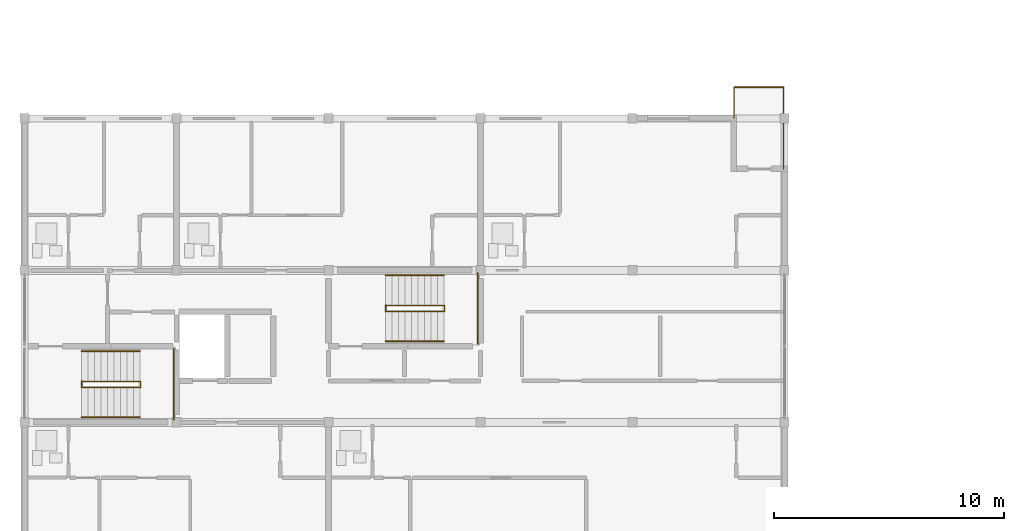
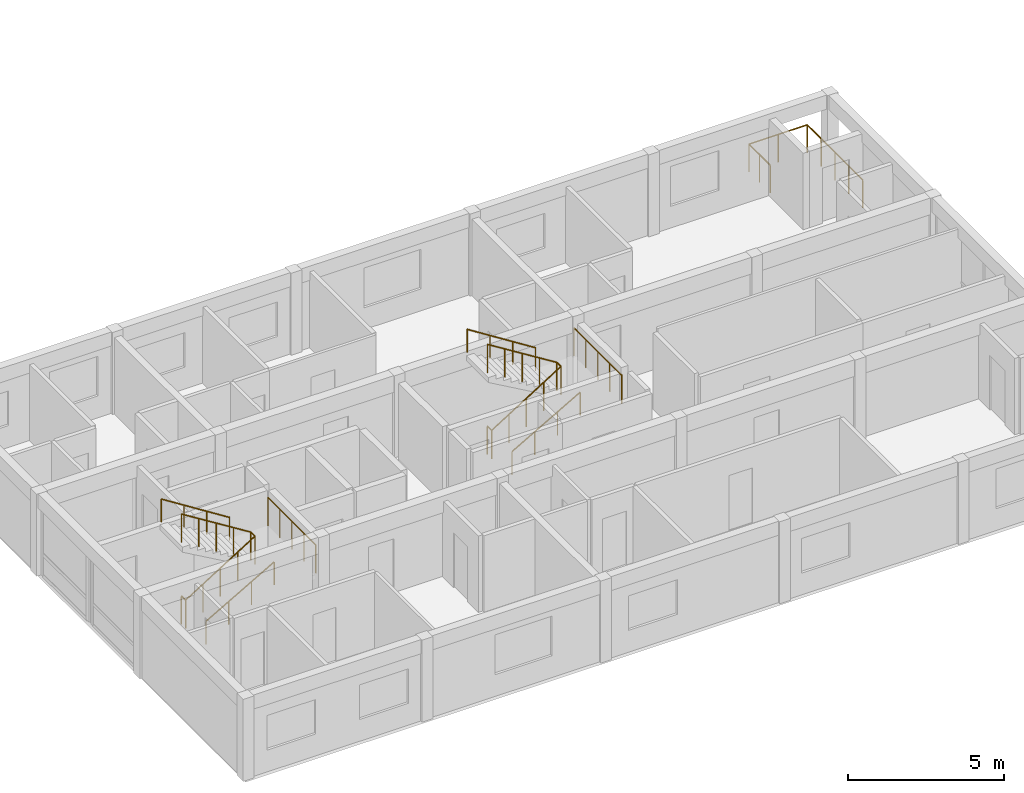
# One storey, part 21 of 23: 11 railings.
"""IFC4 building model written with IfcOpenShell, lengths in metres."""

import ifcopenshell
import ifcopenshell.guid

model = None  # the IFC model being written
_history = None  # IfcOwnerHistory: only IFC2X3 demands one
_inside = {}  # id of a spatial element -> (the spatial element, [elements in it])
_under = {}  # id of a project, library or spatial element -> (it, [spatial elements below it])
_declared = {}  # id of a project -> (the project, [libraries it declares])
_typed = {}  # id of a type object -> (the type object, [elements of that type])
_made_of = {}  # id of a material, layer set ... -> (it, [elements and type objects made of it])


def new_model(schema):
    """Start an empty IFC model of exactly this schema.

    Asked for "IFC4X3", IfcOpenShell would pick the latest addendum, in which some entities
    have other attributes; the version numbers below select the first issue.
    IFC2X3 requires an IfcOwnerHistory on every rooted entity: one is made here for all.
    """
    global model, _history
    if schema == "IFC4X3":
        model = ifcopenshell.file(schema_version=(4, 3, 0, 0))
    else:
        model = ifcopenshell.file(schema=schema)
    _inside.clear()
    _under.clear()
    _declared.clear()
    _typed.clear()
    _made_of.clear()
    _history = None
    if model.schema == "IFC2X3":
        org = make("IfcOrganization", Name="unknown")
        user = make(
            "IfcPersonAndOrganization",
            ThePerson=make("IfcPerson", FamilyName="unknown"),
            TheOrganization=org,
        )
        app = make(
            "IfcApplication",
            ApplicationDeveloper=org,
            Version="unknown",
            ApplicationFullName="unknown",
            ApplicationIdentifier="unknown",
        )
        _history = make(
            "IfcOwnerHistory",
            OwningUser=user,
            OwningApplication=app,
            ChangeAction="ADDED",
            CreationDate=0,
        )
    return model


def make(cls, **values):
    """One entity of the class cls with the attributes given. An attribute that is None is left unset."""
    return model.create_entity(
        cls, **{name: value for name, value in values.items() if value is not None}
    )


def rooted(cls, **values):
    """An entity with a GlobalId (a new one), such as an element, a storey or a relation."""
    return make(cls, GlobalId=ifcopenshell.guid.new(), OwnerHistory=_history, **values)


def si_unit(unit_type, name, prefix=None):
    """IfcSIUnit, for example si_unit("LENGTHUNIT", "METRE", prefix="MILLI")."""
    return make("IfcSIUnit", UnitType=unit_type, Prefix=prefix, Name=name)


def assignment(units):
    """IfcUnitAssignment: the units of a project."""
    return None if units is None else make("IfcUnitAssignment", Units=units)


def point(xyz):
    """IfcCartesianPoint."""
    return None if xyz is None else make("IfcCartesianPoint", Coordinates=xyz)


def direction(xyz):
    """IfcDirection."""
    return None if xyz is None else make("IfcDirection", DirectionRatios=xyz)


def frame(location, z_axis=None, x_axis=None):
    """IfcAxis2Placement3D, a coordinate frame: its origin and axes. An axis left out is left unset."""
    return make(
        "IfcAxis2Placement3D",
        Location=point(location),
        Axis=direction(z_axis),
        RefDirection=direction(x_axis),
    )


def frame_2d(location, x_axis=None):
    """IfcAxis2Placement2D, a coordinate frame in the plane: its origin and x axis."""
    return make(
        "IfcAxis2Placement2D", Location=point(location), RefDirection=direction(x_axis)
    )


def origin():
    """The frame at (0, 0, 0) with its axes left unset."""
    return frame((0.0, 0.0, 0.0))


def origin_2d():
    """The frame at (0, 0) in the plane with its x axis left unset."""
    return frame_2d((0.0, 0.0))


def place(relative_to, where):
    """IfcLocalPlacement: puts the frame where relative to a parent placement (None: the world)."""
    return make(
        "IfcLocalPlacement", PlacementRelTo=relative_to, RelativePlacement=where
    )


def context(
    kind, dimensions, precision=None, world=None, true_north=None, identifier=None
):
    """IfcGeometricRepresentationContext, for example the 3D "Model" context."""
    return make(
        "IfcGeometricRepresentationContext",
        ContextIdentifier=identifier,
        ContextType=kind,
        CoordinateSpaceDimension=dimensions,
        Precision=precision,
        WorldCoordinateSystem=world,
        TrueNorth=true_north,
    )


def subcontext(parent, identifier, kind, view, scale=None):
    """IfcGeometricRepresentationSubContext, for example "Body" below "Model"."""
    return make(
        "IfcGeometricRepresentationSubContext",
        ContextIdentifier=identifier,
        ContextType=kind,
        ParentContext=parent,
        TargetScale=scale,
        TargetView=view,
    )


def project(units=None, contexts=None):
    """IfcProject with its units and contexts."""
    return rooted(
        "IfcProject",
        Name="project",
        RepresentationContexts=contexts,
        UnitsInContext=assignment(units),
    )


def spatial(cls, under=None, at=None, **own):
    """A site, building, storey or space (cls), placed at a placement, below another one or the project."""
    s = rooted(cls, ObjectPlacement=at, **own)
    if under is not None:
        _under.setdefault(under.id(), (under, []))[1].append(s)
    return s


def profile(cls, at=None, kind="AREA", **sizes):
    """A parametric profile (cls). Its sizes go by their IFC names, for example OverallWidth=200.0."""
    return make(cls, ProfileType=kind, Position=at, **sizes)


def circle(**sizes):
    """IfcCircleProfileDef."""
    return profile("IfcCircleProfileDef", **sizes)


def extrude(swept, where, along, depth):
    """IfcExtrudedAreaSolid: the profile swept, set in the frame where, extruded along a direction by depth."""
    return make(
        "IfcExtrudedAreaSolid",
        SweptArea=swept,
        Position=where,
        ExtrudedDirection=direction(along),
        Depth=depth,
    )


def shape(context_of_items, identifier, shape_type, items):
    """IfcShapeRepresentation: the items that make up one representation, for example the "Body"."""
    return make(
        "IfcShapeRepresentation",
        ContextOfItems=context_of_items,
        RepresentationIdentifier=identifier,
        RepresentationType=shape_type,
        Items=items,
    )


def material(Name=None, Category=None):
    """IfcMaterial."""
    return make("IfcMaterial", Name=Name, Category=Category)


def made_of(thing, what):
    """Note that an element or type object is made of a material, layer set ...; save() writes the relation."""
    if what is not None:
        _made_of.setdefault(what.id(), (what, []))[1].append(thing)
    return thing


def type_object(cls, material=None, **own):
    """A type object (cls), such as IfcWallType, which elements share."""
    return made_of(rooted(cls, **own), material)


def element(
    cls,
    number,
    at=None,
    inside=None,
    cuts=None,
    type_object=None,
    material=None,
    context=None,
    identifier="Body",
    shape_type=None,
    held_by="IfcProductDefinitionShape",
    body=None,
    shapes=None,
    **own,
):
    """One element of the class cls, such as IfcWall. Its Tag is "e" and its number.

    at: its placement. inside: the storey or other place that contains it. cuts: it is an
    opening in that element (IfcRelVoidsElement). A single representation is given by context,
    identifier, shape_type and body (its items); several are given by shapes. held_by: the class
    of the entity that holds the representations. save() writes the other relations.
    """
    e = rooted(cls, Tag="e%d" % number, ObjectPlacement=at, **own)
    if body is not None:
        shapes = [shape(context, identifier, shape_type, body)]
    if shapes is not None:
        e.Representation = make(held_by, Representations=shapes)
    if inside is not None:
        _inside.setdefault(inside.id(), (inside, []))[1].append(e)
    if cuts is not None:
        rooted(
            "IfcRelVoidsElement", RelatingBuildingElement=cuts, RelatedOpeningElement=e
        )
    if type_object is not None:
        _typed.setdefault(type_object.id(), (type_object, []))[1].append(e)
    return made_of(e, material)


def aggregate(whole, parts):
    """IfcRelAggregates: a whole, such as a stair, and the parts it consists of."""
    return rooted("IfcRelAggregates", RelatingObject=whole, RelatedObjects=parts)


def save(model, path):
    """Write the relations noted so far, then the file.

    IfcRelAggregates (storeys below a building ...), IfcRelContainedInSpatialStructure (elements
    in a storey), IfcRelDefinesByType, IfcRelAssociatesMaterial and IfcRelDeclares: one each for
    every whole, place, type object, material and project.
    """
    for whole, parts in _under.values():
        aggregate(whole, parts)
    for where, things in _inside.values():
        rooted(
            "IfcRelContainedInSpatialStructure",
            RelatedElements=things,
            RelatingStructure=where,
        )
    for kind, things in _typed.values():
        rooted("IfcRelDefinesByType", RelatedObjects=things, RelatingType=kind)
    for what, things in _made_of.values():
        rooted("IfcRelAssociatesMaterial", RelatedObjects=things, RelatingMaterial=what)
    for by, libraries in _declared.values():
        rooted("IfcRelDeclares", RelatingContext=by, RelatedDefinitions=libraries)
    model.write(path)


model = new_model("IFC4")

# Units and contexts
model_context = context("Model", 3, precision=1e-05, world=origin(), true_north=direction((0.0, 1.0)))
body_context = subcontext(model_context, "Body", "Model", "MODEL_VIEW")
ifc_project = project(units=[si_unit("LENGTHUNIT", "METRE"), si_unit("AREAUNIT", "SQUARE_METRE"), si_unit("VOLUMEUNIT", "CUBIC_METRE"), si_unit("PLANEANGLEUNIT", "RADIAN"), si_unit("MASSUNIT", "GRAM", prefix="KILO")], contexts=[model_context])

# Site, building, storey
site_placement = place(None, origin())
site = spatial("IfcSite", under=ifc_project, at=site_placement, CompositionType="ELEMENT")
building_placement = place(site_placement, origin())
building = spatial("IfcBuilding", under=site, at=building_placement, Name="Kernevlak Ridge Housing Community", CompositionType="ELEMENT")
storey_placement = place(building_placement, frame((0.0, 0.0, 46.800048828125)))
storey = spatial("IfcBuildingStorey", under=building, at=storey_placement, Name="L14", CompositionType="ELEMENT", Elevation=46.800048828125)

# Railings
ifc_material_1 = material(Name="Steel S355", Category="steel")
railing_type_1 = type_object("IfcRailingType", Name="BL-01", PredefinedType="BALUSTRADE", material=ifc_material_1)
railing_1_placement = place(storey_placement, frame((46.39990234375, 95.800048828125, 0.0)))
element("IfcRailing", 1, at=railing_1_placement, inside=storey, type_object=railing_type_1, Name="Block A L14 balcony balustrade BL-01 14", PredefinedType="BALUSTRADE", context=body_context, shape_type="SweptSolid", body=[
    extrude(circle(Radius=0.02392578125, at=origin_2d()), frame((0.0, 0.0, 1.076171875), z_axis=(0.0, 1.0, 0.0), x_axis=(-1.0, 0.0, 0.0)), (0.0, 0.0, 1.0), 1.349853515625),
    extrude(circle(Radius=0.02392578125, at=origin_2d()), frame((0.0, 1.349853515625, 1.076171875), z_axis=(1.0, 0.0, 0.0), x_axis=(0.0, 1.0, 0.0)), (0.0, 0.0, 1.0), 2.150146484375),
    extrude(circle(Radius=0.02392578125, at=origin_2d()), frame((2.150146484375, 1.349853515625, 1.076171875), z_axis=(0.0, -1.0, 0.0), x_axis=(1.0, 0.0, 0.0)), (0.0, 0.0, 1.0), 3.5498046875),
    extrude(circle(Radius=0.02099609375, at=origin_2d()), origin(), (0.0, 0.0, 1.0), 1.052001953125),
    extrude(circle(Radius=0.02099609375, at=origin_2d()), frame((0.0, 0.6748046875, 0.0)), (0.0, 0.0, 1.0), 1.052001953125),
    extrude(circle(Radius=0.02099609375, at=origin_2d()), frame((0.0, 1.349853515625, 0.0)), (0.0, 0.0, 1.0), 1.052001953125),
    extrude(circle(Radius=0.02099609375, at=origin_2d()), frame((1.0751953125, 1.349853515625, 0.0)), (0.0, 0.0, 1.0), 1.052001953125),
    extrude(circle(Radius=0.02099609375, at=origin_2d()), frame((2.150146484375, 1.349853515625, 0.0)), (0.0, 0.0, 1.0), 1.052001953125),
    extrude(circle(Radius=0.02099609375, at=origin_2d()), frame((2.150146484375, 0.46240234375, 0.0)), (0.0, 0.0, 1.0), 1.052001953125),
    extrude(circle(Radius=0.02099609375, at=origin_2d()), frame((2.150146484375, -0.425048828125, 0.0)), (0.0, 0.0, 1.0), 1.052001953125),
    extrude(circle(Radius=0.02099609375, at=origin_2d()), frame((2.150146484375, -1.3125, 0.0)), (0.0, 0.0, 1.0), 1.052001953125),
    extrude(circle(Radius=0.02099609375, at=origin_2d()), frame((2.150146484375, -2.199951171875, 0.0)), (0.0, 0.0, 1.0), 1.052001953125),
])
railing_type_2 = type_object("IfcRailingType", Name="GR-02", PredefinedType="GUARDRAIL", material=ifc_material_1)
railing_2_placement = place(storey_placement, frame((18.080078125, 84.110107421875, 0.0)))
element("IfcRailing", 2, at=railing_2_placement, inside=storey, type_object=railing_type_2, Name="Stair ST-A1 L14 well slot guard", PredefinedType="GUARDRAIL", context=body_context, shape_type="SweptSolid", body=[
    extrude(circle(Radius=0.02392578125, at=origin_2d()), frame((0.0, 0.0, 1.09619140625), z_axis=(0.0, 1.0, 0.0), x_axis=(-1.0, 0.0, 0.0)), (0.0, 0.0, 1.0), 0.27978515625),
    extrude(circle(Radius=0.02099609375, at=origin_2d()), origin(), (0.0, 0.0, 1.0), 1.072021484375),
    extrude(circle(Radius=0.02099609375, at=origin_2d()), frame((0.0, 0.27978515625, 0.0)), (0.0, 0.0, 1.0), 1.072021484375),
])
railing_3_placement = place(storey_placement, frame((18.080078125, 84.1201171875, 0.0)))
element("IfcRailing", 3, at=railing_3_placement, inside=storey, type_object=railing_type_2, Name="Stair ST-A1 L14 inner well guardrail", PredefinedType="GUARDRAIL", context=body_context, shape_type="SweptSolid", body=[
    extrude(circle(Radius=0.02392578125, at=origin_2d()), frame((0.0, 0.0, 1.09619140625), z_axis=(0.848002847666, 0.0, 0.529991670077), x_axis=(0.0, 1.0, 0.0)), (0.0, 0.0, 1.0), 3.0185546875),
    extrude(circle(Radius=0.02392578125, at=origin_2d()), frame((2.559814453125, 0.0, 2.69580078125), z_axis=(0.0, 1.0, 0.0), x_axis=(-1.0, 0.0, 0.0)), (0.0, 0.0, 1.0), 0.259765625),
    extrude(circle(Radius=0.02392578125, at=origin_2d()), frame((2.559814453125, 0.259765625, 2.69580078125), z_axis=(-0.847966497998, 0.0, 0.530049826217), x_axis=(0.0, -1.0, 0.0)), (0.0, 0.0, 1.0), 3.018798828125),
    extrude(circle(Radius=0.02099609375, at=origin_2d()), origin(), (0.0, 0.0, 1.0), 1.072021484375),
    extrude(circle(Radius=0.02099609375, at=origin_2d()), frame((0.639892578125, 0.0, 0.39990234375)), (0.0, 0.0, 1.0), 1.072021484375),
    extrude(circle(Radius=0.02099609375, at=origin_2d()), frame((1.27978515625, 0.0, 0.7998046875)), (0.0, 0.0, 1.0), 1.072021484375),
    extrude(circle(Radius=0.02099609375, at=origin_2d()), frame((1.919921875, 0.0, 1.199951171875)), (0.0, 0.0, 1.0), 1.072021484375),
    extrude(circle(Radius=0.02099609375, at=origin_2d()), frame((2.559814453125, 0.0, 1.599853515625)), (0.0, 0.0, 1.0), 1.072021484375),
    extrude(circle(Radius=0.02099609375, at=origin_2d()), frame((2.559814453125, 0.259765625, 1.599853515625)), (0.0, 0.0, 1.0), 1.072021484375),
    extrude(circle(Radius=0.02099609375, at=origin_2d()), frame((1.919921875, 0.259765625, 2.0)), (0.0, 0.0, 1.0), 1.072021484375),
    extrude(circle(Radius=0.02099609375, at=origin_2d()), frame((1.27978515625, 0.259765625, 2.39990234375)), (0.0, 0.0, 1.0), 1.072021484375),
    extrude(circle(Radius=0.02099609375, at=origin_2d()), frame((0.639892578125, 0.259765625, 2.7998046875)), (0.0, 0.0, 1.0), 1.072021484375),
    extrude(circle(Radius=0.02099609375, at=origin_2d()), frame((0.0, 0.259765625, 3.199951171875)), (0.0, 0.0, 1.0), 1.072021484375),
])
railing_4_placement = place(storey_placement, frame((22.080078125, 82.719970703125, 1.599853515625)))
element("IfcRailing", 4, at=railing_4_placement, inside=storey, type_object=railing_type_2, Name="Stair ST-A1 L14 half-landing guard", PredefinedType="GUARDRAIL", context=body_context, shape_type="SweptSolid", body=[
    extrude(circle(Radius=0.02392578125, at=origin_2d()), frame((0.0, 0.0, 1.09619140625), z_axis=(0.0, 1.0, 0.0), x_axis=(-1.0, 0.0, 0.0)), (0.0, 0.0, 1.0), 3.06005859375),
    extrude(circle(Radius=0.02099609375, at=origin_2d()), origin(), (0.0, 0.0, 1.0), 1.072021484375),
    extrude(circle(Radius=0.02099609375, at=origin_2d()), frame((0.0, 0.76513671875, 0.0)), (0.0, 0.0, 1.0), 1.072021484375),
    extrude(circle(Radius=0.02099609375, at=origin_2d()), frame((0.0, 1.530029296875, 0.0)), (0.0, 0.0, 1.0), 1.072021484375),
    extrude(circle(Radius=0.02099609375, at=origin_2d()), frame((0.0, 2.294921875, 0.0)), (0.0, 0.0, 1.0), 1.072021484375),
    extrude(circle(Radius=0.02099609375, at=origin_2d()), frame((0.0, 3.06005859375, 0.0)), (0.0, 0.0, 1.0), 1.072021484375),
])
railing_5_placement = place(storey_placement, frame((31.280029296875, 87.409912109375, 0.0)))
element("IfcRailing", 5, at=railing_5_placement, inside=storey, type_object=railing_type_2, Name="Stair ST-A2 L14 well slot guard", PredefinedType="GUARDRAIL", context=body_context, shape_type="SweptSolid", body=[
    extrude(circle(Radius=0.02392578125, at=origin_2d()), frame((0.0, 0.0, 1.09619140625), z_axis=(0.0, 1.0, 0.0), x_axis=(-1.0, 0.0, 0.0)), (0.0, 0.0, 1.0), 0.280029296875),
    extrude(circle(Radius=0.02099609375, at=origin_2d()), origin(), (0.0, 0.0, 1.0), 1.072021484375),
    extrude(circle(Radius=0.02099609375, at=origin_2d()), frame((0.0, 0.280029296875, 0.0)), (0.0, 0.0, 1.0), 1.072021484375),
])
railing_6_placement = place(storey_placement, frame((31.280029296875, 87.419921875, 0.0)))
element("IfcRailing", 6, at=railing_6_placement, inside=storey, type_object=railing_type_2, Name="Stair ST-A2 L14 inner well guardrail", PredefinedType="GUARDRAIL", context=body_context, shape_type="SweptSolid", body=[
    extrude(circle(Radius=0.02392578125, at=origin_2d()), frame((0.0, 0.0, 1.09619140625), z_axis=(0.848025563165, 0.0, 0.529955322851), x_axis=(0.0, 1.0, 0.0)), (0.0, 0.0, 1.0), 3.018798828125),
    extrude(circle(Radius=0.02392578125, at=origin_2d()), frame((2.56005859375, 0.0, 2.69580078125), z_axis=(0.0, 1.0, 0.0), x_axis=(-1.0, 0.0, 0.0)), (0.0, 0.0, 1.0), 0.260009765625),
    extrude(circle(Radius=0.02392578125, at=origin_2d()), frame((2.56005859375, 0.260009765625, 2.69580078125), z_axis=(-0.847989217509, 0.0, 0.530013478119), x_axis=(0.0, -1.0, 0.0)), (0.0, 0.0, 1.0), 3.01904296875),
    extrude(circle(Radius=0.02099609375, at=origin_2d()), origin(), (0.0, 0.0, 1.0), 1.072021484375),
    extrude(circle(Radius=0.02099609375, at=origin_2d()), frame((0.64013671875, 0.0, 0.39990234375)), (0.0, 0.0, 1.0), 1.072021484375),
    extrude(circle(Radius=0.02099609375, at=origin_2d()), frame((1.280029296875, 0.0, 0.7998046875)), (0.0, 0.0, 1.0), 1.072021484375),
    extrude(circle(Radius=0.02099609375, at=origin_2d()), frame((1.919921875, 0.0, 1.199951171875)), (0.0, 0.0, 1.0), 1.072021484375),
    extrude(circle(Radius=0.02099609375, at=origin_2d()), frame((2.56005859375, 0.0, 1.599853515625)), (0.0, 0.0, 1.0), 1.072021484375),
    extrude(circle(Radius=0.02099609375, at=origin_2d()), frame((2.56005859375, 0.260009765625, 1.599853515625)), (0.0, 0.0, 1.0), 1.072021484375),
    extrude(circle(Radius=0.02099609375, at=origin_2d()), frame((1.919921875, 0.260009765625, 2.0)), (0.0, 0.0, 1.0), 1.072021484375),
    extrude(circle(Radius=0.02099609375, at=origin_2d()), frame((1.280029296875, 0.260009765625, 2.39990234375)), (0.0, 0.0, 1.0), 1.072021484375),
    extrude(circle(Radius=0.02099609375, at=origin_2d()), frame((0.64013671875, 0.260009765625, 2.7998046875)), (0.0, 0.0, 1.0), 1.072021484375),
    extrude(circle(Radius=0.02099609375, at=origin_2d()), frame((0.0, 0.260009765625, 3.199951171875)), (0.0, 0.0, 1.0), 1.072021484375),
])
railing_7_placement = place(storey_placement, frame((35.280029296875, 86.02001953125, 1.599853515625)))
element("IfcRailing", 7, at=railing_7_placement, inside=storey, type_object=railing_type_2, Name="Stair ST-A2 L14 half-landing guard", PredefinedType="GUARDRAIL", context=body_context, shape_type="SweptSolid", body=[
    extrude(circle(Radius=0.02392578125, at=origin_2d()), frame((0.0, 0.0, 1.09619140625), z_axis=(0.0, 1.0, 0.0), x_axis=(-1.0, 0.0, 0.0)), (0.0, 0.0, 1.0), 3.06005859375),
    extrude(circle(Radius=0.02099609375, at=origin_2d()), origin(), (0.0, 0.0, 1.0), 1.072021484375),
    extrude(circle(Radius=0.02099609375, at=origin_2d()), frame((0.0, 0.76513671875, 0.0)), (0.0, 0.0, 1.0), 1.072021484375),
    extrude(circle(Radius=0.02099609375, at=origin_2d()), frame((0.0, 1.530029296875, 0.0)), (0.0, 0.0, 1.0), 1.072021484375),
    extrude(circle(Radius=0.02099609375, at=origin_2d()), frame((0.0, 2.294921875, 0.0)), (0.0, 0.0, 1.0), 1.072021484375),
    extrude(circle(Radius=0.02099609375, at=origin_2d()), frame((0.0, 3.06005859375, 0.0)), (0.0, 0.0, 1.0), 1.072021484375),
])
ifc_material_2 = material(Name="Stainless steel EN 1.4401", Category="steel")
railing_type_3 = type_object("IfcRailingType", Name="HR-01", PredefinedType="HANDRAIL", material=ifc_material_2)
railing_8_placement = place(storey_placement, frame((18.080078125, 82.820068359375, 0.159912109375)))
element("IfcRailing", 8, at=railing_8_placement, inside=storey, type_object=railing_type_3, Name="Stair ST-A1 L14 flight 1 handrail", PredefinedType="HANDRAIL", context=body_context, shape_type="SweptSolid", body=[
    extrude(circle(Radius=0.02392578125, at=origin_2d()), frame((0.0, 0.0, 0.89599609375), z_axis=(0.868253494771, 0.0, 0.496120820787), x_axis=(0.0, 1.0, 0.0)), (0.0, 0.0, 1.0), 2.90234375),
    extrude(circle(Radius=0.02099609375, at=origin_2d()), origin(), (0.0, 0.0, 1.0), 0.871826171875),
    extrude(circle(Radius=0.02099609375, at=origin_2d()), frame((0.840087890625, 0.0, 0.47998046875)), (0.0, 0.0, 1.0), 0.871826171875),
    extrude(circle(Radius=0.02099609375, at=origin_2d()), frame((1.679931640625, 0.0, 0.9599609375)), (0.0, 0.0, 1.0), 0.871826171875),
    extrude(circle(Radius=0.02099609375, at=origin_2d()), frame((2.52001953125, 0.0, 1.43994140625)), (0.0, 0.0, 1.0), 0.871826171875),
])
railing_9_placement = place(storey_placement, frame((20.60009765625, 85.679931640625, 1.599853515625)))
element("IfcRailing", 9, at=railing_9_placement, inside=storey, type_object=railing_type_3, Name="Stair ST-A1 L14 flight 2 handrail", PredefinedType="HANDRAIL", context=body_context, shape_type="SweptSolid", body=[
    extrude(circle(Radius=0.02392578125, at=origin_2d()), frame((0.0, 0.0, 0.89599609375), z_axis=(-0.844199891302, 0.0, 0.536028491338), x_axis=(0.0, -1.0, 0.0)), (0.0, 0.0, 1.0), 2.985107421875),
    extrude(circle(Radius=0.02099609375, at=origin_2d()), origin(), (0.0, 0.0, 1.0), 0.871826171875),
    extrude(circle(Radius=0.02099609375, at=origin_2d()), frame((-0.840087890625, 0.0, 0.533447265625)), (0.0, 0.0, 1.0), 0.871826171875),
    extrude(circle(Radius=0.02099609375, at=origin_2d()), frame((-1.679931640625, 0.0, 1.066650390625)), (0.0, 0.0, 1.0), 0.871826171875),
    extrude(circle(Radius=0.02099609375, at=origin_2d()), frame((-2.52001953125, 0.0, 1.60009765625)), (0.0, 0.0, 1.0), 0.871826171875),
])
railing_10_placement = place(storey_placement, frame((31.280029296875, 86.1201171875, 0.159912109375)))
element("IfcRailing", 10, at=railing_10_placement, inside=storey, type_object=railing_type_3, Name="Stair ST-A2 L14 flight 1 handrail", PredefinedType="HANDRAIL", context=body_context, shape_type="SweptSolid", body=[
    extrude(circle(Radius=0.02392578125, at=origin_2d()), frame((0.0, 0.0, 0.89599609375), z_axis=(0.868253494771, 0.0, 0.496120820787), x_axis=(0.0, 1.0, 0.0)), (0.0, 0.0, 1.0), 2.90234375),
    extrude(circle(Radius=0.02099609375, at=origin_2d()), origin(), (0.0, 0.0, 1.0), 0.871826171875),
    extrude(circle(Radius=0.02099609375, at=origin_2d()), frame((0.840087890625, 0.0, 0.47998046875)), (0.0, 0.0, 1.0), 0.871826171875),
    extrude(circle(Radius=0.02099609375, at=origin_2d()), frame((1.679931640625, 0.0, 0.9599609375)), (0.0, 0.0, 1.0), 0.871826171875),
    extrude(circle(Radius=0.02099609375, at=origin_2d()), frame((2.52001953125, 0.0, 1.43994140625)), (0.0, 0.0, 1.0), 0.871826171875),
])
railing_11_placement = place(storey_placement, frame((33.800048828125, 88.97998046875, 1.599853515625)))
element("IfcRailing", 11, at=railing_11_placement, inside=storey, type_object=railing_type_3, Name="Stair ST-A2 L14 flight 2 handrail", PredefinedType="HANDRAIL", context=body_context, shape_type="SweptSolid", body=[
    extrude(circle(Radius=0.02392578125, at=origin_2d()), frame((0.0, 0.0, 0.89599609375), z_axis=(-0.844199891302, 0.0, 0.536028491338), x_axis=(0.0, -1.0, 0.0)), (0.0, 0.0, 1.0), 2.985107421875),
    extrude(circle(Radius=0.02099609375, at=origin_2d()), origin(), (0.0, 0.0, 1.0), 0.871826171875),
    extrude(circle(Radius=0.02099609375, at=origin_2d()), frame((-0.840087890625, 0.0, 0.533447265625)), (0.0, 0.0, 1.0), 0.871826171875),
    extrude(circle(Radius=0.02099609375, at=origin_2d()), frame((-1.679931640625, 0.0, 1.066650390625)), (0.0, 0.0, 1.0), 0.871826171875),
    extrude(circle(Radius=0.02099609375, at=origin_2d()), frame((-2.52001953125, 0.0, 1.60009765625)), (0.0, 0.0, 1.0), 0.871826171875),
])

save(model, "model.ifc")
